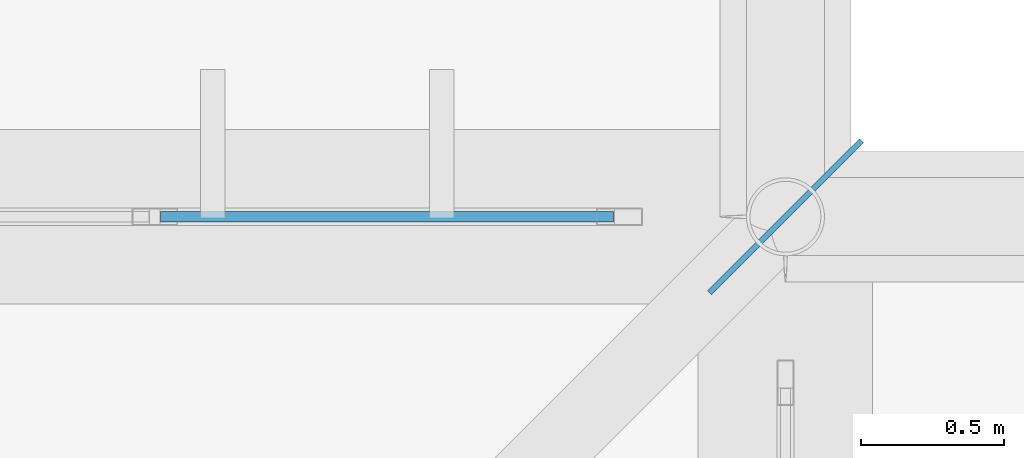
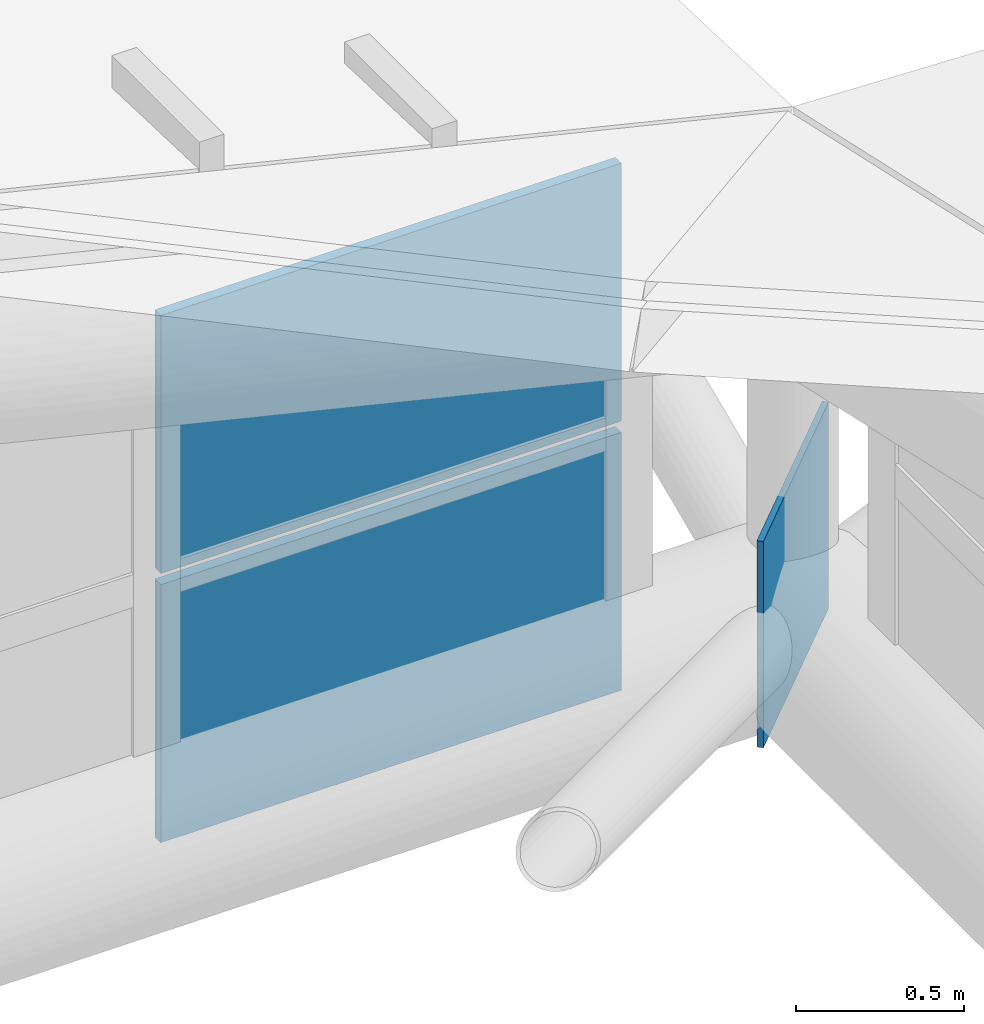
# One storey, part 384 of 397: 3 plates, 1 element without a shape of its own.
"""IFC4 building model written with IfcOpenShell, lengths in metres."""

from ifc_helpers import new_model, si_unit, direction, frame, origin, origin_2d, place, context, subcontext, project, spatial, rectangle, extrude, material, layer, layer_set, type_object, element, aggregate, save


model = new_model("IFC4")

# Units and contexts
model_context = context("Model", 3, precision=1e-05, world=origin(), true_north=direction((0.0, 1.0)))
body_context = subcontext(model_context, "Body", "Model", "MODEL_VIEW")
ifc_project = project(units=[si_unit("LENGTHUNIT", "METRE"), si_unit("AREAUNIT", "SQUARE_METRE"), si_unit("VOLUMEUNIT", "CUBIC_METRE"), si_unit("PLANEANGLEUNIT", "RADIAN"), si_unit("MASSUNIT", "GRAM", prefix="KILO")], contexts=[model_context])

# Site, building, storey
site_placement = place(None, origin())
site = spatial("IfcSite", under=ifc_project, at=site_placement, CompositionType="ELEMENT")
building_placement = place(site_placement, origin())
building = spatial("IfcBuilding", under=site, at=building_placement, Name="Qandorah Velis Arena", CompositionType="ELEMENT")
storey_placement = place(building_placement, frame((0.0, 0.0, 27.5)))
storey = spatial("IfcBuildingStorey", under=building, at=storey_placement, Name="RF", CompositionType="ELEMENT", Elevation=27.5)

# Curtain wall, plates
ifc_material_1 = material(Name="Solar-control low-E double glazing", Category="glass")
curtain_wall_type = type_object("IfcCurtainWallType", Name="ARC-CW-SYS08", PredefinedType="USERDEFINED", material=ifc_material_1)
curtain_wall_placement = place(storey_placement, origin())
curtain_wall = element("IfcCurtainWall", 1, at=curtain_wall_placement, inside=storey, type_object=curtain_wall_type, Name="Unitised curtain wall CROWN-4-07S2", ObjectType="UNITISED CURTAIN WALL", PredefinedType="USERDEFINED")
ifc_layer_1 = layer(ifc_material_1, 0.035888671875)
ifc_layer_set_1 = layer_set([ifc_layer_1], Name="Solar-control low-E double glazing")
plate_type_1 = type_object("IfcPlateType", Name="ARC-CWP-GLZ36", PredefinedType="CURTAIN_PANEL", material=ifc_layer_set_1)
plate_1_placement = place(storey_placement, frame((113.808837890625, 115.199951171875, 0.0498046875), z_axis=(0.0, 0.0, 1.0), x_axis=(1.0, 0.0, 0.0)))
plate_1 = element("IfcPlate", 2, at=plate_1_placement, type_object=plate_type_1, Name="CW08 panel 4.1", PredefinedType="CURTAIN_PANEL", context=body_context, shape_type="SweptSolid", body=[
    extrude(rectangle(XDim=1.58251953125, YDim=0.035888671875, at=origin_2d()), origin(), (0.0, 0.0, 1.0), 0.937744140625),
])
plate_2_placement = place(storey_placement, frame((113.808837890625, 115.199951171875, 1.02783203125), z_axis=(0.0, 0.0, 1.0), x_axis=(1.0, 0.0, 0.0)))
plate_2 = element("IfcPlate", 3, at=plate_2_placement, type_object=plate_type_1, Name="CW08 panel 4.2", PredefinedType="CURTAIN_PANEL", context=body_context, shape_type="SweptSolid", body=[
    extrude(rectangle(XDim=1.58251953125, YDim=0.035888671875, at=origin_2d()), origin(), (0.0, 0.0, 1.0), 0.937744140625),
])
aggregate(curtain_wall, [plate_1, plate_2])

# Plate
ifc_material_2 = material(Name="Steel S355", Category="steel")
ifc_layer_2 = layer(ifc_material_2, 0.02001953125)
ifc_layer_set_2 = layer_set([ifc_layer_2], Name="Steel S355")
plate_type_2 = type_object("IfcPlateType", Name="STR-PLT-GUS20", PredefinedType="SHEET", material=ifc_layer_set_2)
plate_3_placement = place(storey_placement, frame((115.199951171875, 115.199951171875, -0.125), z_axis=(0.0, 0.0, 1.0), x_axis=(0.707106781187, 0.707106781187, 0.0)))
element("IfcPlate", 4, at=plate_3_placement, inside=storey, type_object=plate_type_2, Name="Space frame gusset plate 7.7", PredefinedType="SHEET", context=body_context, shape_type="SweptSolid", body=[
    extrude(rectangle(XDim=0.75, YDim=0.02001953125, at=origin_2d()), origin(), (0.0, 0.0, 1.0), 0.75),
])

save(model, "model.ifc")
